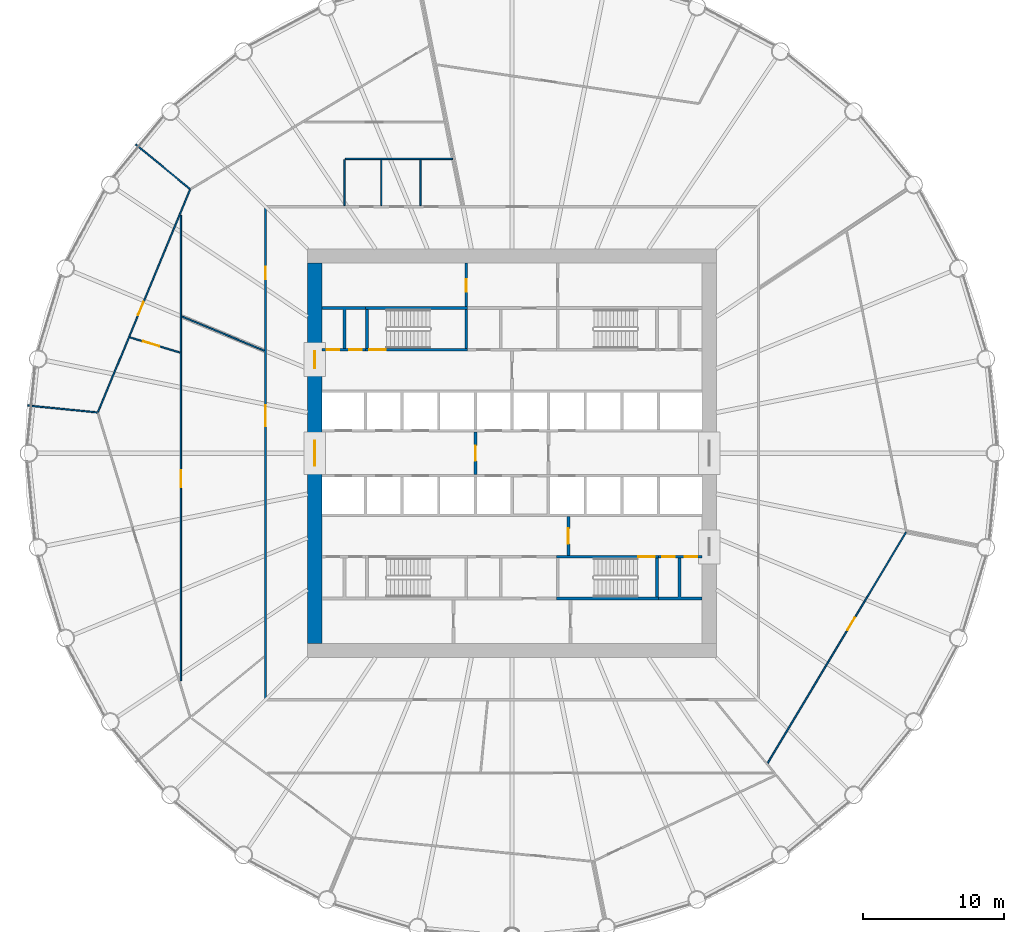
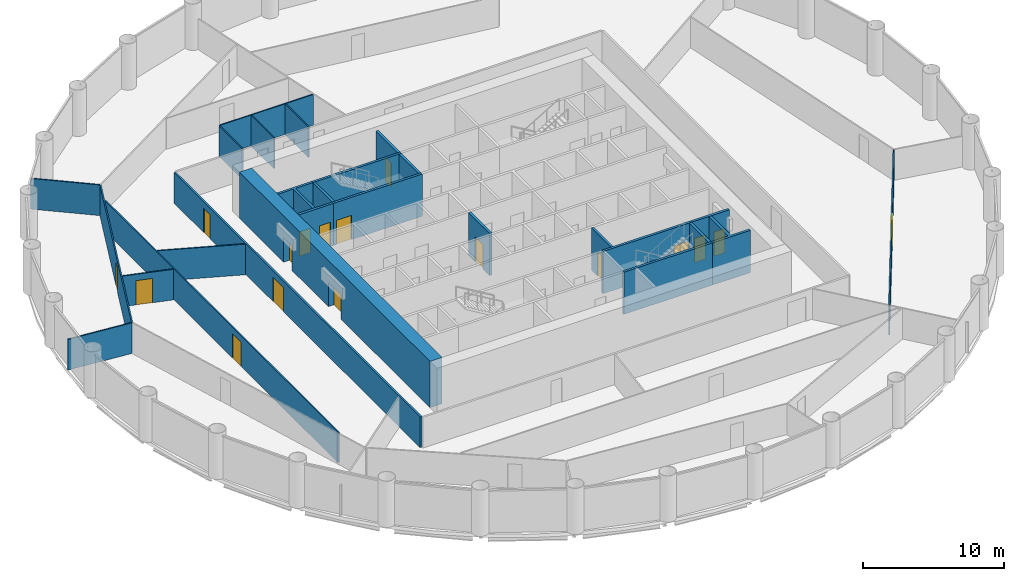
# One storey, part 5 of 8: 27 walls, 17 doors, 17 openings.
"""IFC4 building model written with IfcOpenShell, lengths in metres."""

from ifc_helpers import new_model, si_unit, direction, frame, frame_2d, origin, place, context, subcontext, project, spatial, polyline, rectangle, outline, extrude, material, layer, layer_set, type_object, element, fill, save


model = new_model("IFC4")

# Units and contexts
model_context = context("Model", 3, precision=1e-05, world=origin(), true_north=direction((0.0, 1.0)))
body_context = subcontext(model_context, "Body", "Model", "MODEL_VIEW")
ifc_project = project(units=[si_unit("LENGTHUNIT", "METRE"), si_unit("AREAUNIT", "SQUARE_METRE"), si_unit("VOLUMEUNIT", "CUBIC_METRE"), si_unit("PLANEANGLEUNIT", "RADIAN"), si_unit("MASSUNIT", "GRAM", prefix="KILO")], contexts=[model_context])

# Site, building, storey
site_placement = place(None, origin())
site = spatial("IfcSite", under=ifc_project, at=site_placement, CompositionType="ELEMENT")
building_placement = place(site_placement, origin())
building = spatial("IfcBuilding", under=site, at=building_placement, Name="Corvane Civic Tower", CompositionType="ELEMENT")
storey_placement = place(building_placement, frame((0.0, 0.0, 134.5)))
storey = spatial("IfcBuildingStorey", under=building, at=storey_placement, Name="L31", CompositionType="ELEMENT", Elevation=134.5)

# Wall, openings, doors
ifc_material_1 = material(Name="Concrete C70/85", Category="concrete")
ifc_layer_1 = layer(ifc_material_1, 1.0)
ifc_layer_set_1 = layer_set([ifc_layer_1], Name="Concrete C70/85")
wall_type_1 = type_object("IfcWallType", Name="CORE WALL 1000 C70/85", PredefinedType="SHEAR", material=ifc_layer_set_1)
wall_1_placement = place(storey_placement, frame((-14.0, -13.5, 0.0), z_axis=(0.0, 0.0, 1.0), x_axis=(0.0, 1.0, 0.0)))
wall_1 = element("IfcWall", 1, at=wall_1_placement, inside=storey, type_object=wall_type_1, Name="W-L31-core-W", PredefinedType="SHEAR", context=body_context, shape_type="SweptSolid", body=[
    extrude(rectangle(XDim=27.0, YDim=1.0, at=frame_2d((13.5, 0.0))), origin(), (0.0, 0.0, 1.0), 4.0),
])
opening_1_placement = place(wall_1_placement, frame((12.60009765625, 0.0, 0.0)))
opening_1 = element("IfcOpeningElement", 2, at=opening_1_placement, cuts=wall_1, Name="Opening L31.C28", PredefinedType="OPENING", context=body_context, shape_type="SweptSolid", body=[
    extrude(rectangle(XDim=1.800048828125, YDim=2.10009765625, at=frame_2d((0.89990234375, 1.050048828125))), frame((0.0, 0.510009765625, 0.0), z_axis=(0.0, -1.0, 0.0), x_axis=(1.0, 0.0, 0.0)), (0.0, 0.0, 1.0), 1.02001953125),
])
opening_2_placement = place(wall_1_placement, frame((19.550048828125, 0.0, 0.0)))
opening_2 = element("IfcOpeningElement", 3, at=opening_2_placement, cuts=wall_1, Name="Opening L31.C30", PredefinedType="OPENING", context=body_context, shape_type="SweptSolid", body=[
    extrude(rectangle(XDim=1.199951171875, YDim=2.10009765625, at=frame_2d((0.60009765625, 1.050048828125))), frame((0.0, 0.510009765625, 0.0), z_axis=(0.0, -1.0, 0.0), x_axis=(1.0, 0.0, 0.0)), (0.0, 0.0, 1.0), 1.02001953125),
])
ifc_material_2 = material(Name="Steel fire door leaf", Category="steel")
door_type_1 = type_object("IfcDoorType", Name="CR-DOOR-CORE-1800", OperationType="DOUBLE_DOOR_SINGLE_SWING", PredefinedType="DOOR", material=ifc_material_2)
door_1_placement = place(opening_1_placement, origin())
door_1 = element("IfcDoor", 4, at=door_1_placement, inside=storey, type_object=door_type_1, Name="L31 door", OperationType="DOUBLE_DOOR_SINGLE_SWING", OverallHeight=2.10009765625, OverallWidth=1.800048828125, PredefinedType="DOOR", context=body_context, shape_type="SweptSolid", body=[
    extrude(rectangle(XDim=1.800048828125, YDim=2.10009765625, at=frame_2d((0.89990234375, 1.050048828125))), frame((0.0, 0.02490234375, 0.0), z_axis=(0.0, -1.0, 0.0), x_axis=(1.0, 0.0, 0.0)), (0.0, 0.0, 1.0), 0.050048828125),
])
fill(opening_1, door_1)
door_2_placement = place(opening_2_placement, origin())
door_2 = element("IfcDoor", 5, at=door_2_placement, inside=storey, type_object=door_type_1, Name="L31 door", OperationType="DOUBLE_DOOR_SINGLE_SWING", OverallHeight=2.10009765625, OverallWidth=1.199951171875, PredefinedType="DOOR", context=body_context, shape_type="SweptSolid", body=[
    extrude(rectangle(XDim=1.199951171875, YDim=2.10009765625, at=frame_2d((0.60009765625, 1.050048828125))), frame((0.0, 0.02490234375, 0.0), z_axis=(0.0, -1.0, 0.0), x_axis=(1.0, 0.0, 0.0)), (0.0, 0.0, 1.0), 0.050048828125),
])
fill(opening_2, door_2)

ifc_material_3 = material(Name="Concrete C30/37", Category="concrete")
ifc_layer_2 = layer(ifc_material_3, 0.199951171875)
ifc_layer_set_2 = layer_set([ifc_layer_2], Name="Concrete C30/37")
wall_type_2 = type_object("IfcWallType", Name="CR-WALL-200", PredefinedType="PARTITIONING", material=ifc_layer_set_2)
wall_2_placement = place(storey_placement, frame((10.39990234375, -7.35009765625, 0.0), z_axis=(0.0, 0.0, 1.0), x_axis=(1.0, 0.0, 0.0)))
wall_2 = element("IfcWall", 6, at=wall_2_placement, inside=storey, type_object=wall_type_2, Name="L31 core partition wall", PredefinedType="PARTITIONING", context=body_context, shape_type="SweptSolid", body=[
    extrude(rectangle(XDim=3.10009765625, YDim=0.199951171875, at=frame_2d((1.550048828125, 0.0))), origin(), (0.0, 0.0, 1.0), 3.64990234375),
])
opening_3_placement = place(wall_2_placement, frame((0.25, 0.0, 0.0)))
opening_3 = element("IfcOpeningElement", 7, at=opening_3_placement, cuts=wall_2, Name="Opening L31.C18", PredefinedType="OPENING", context=body_context, shape_type="SweptSolid", body=[
    extrude(rectangle(XDim=0.89990234375, YDim=2.10009765625, at=frame_2d((0.449951171875, 1.050048828125))), frame((0.0, 0.10986328125, 0.0), z_axis=(0.0, -1.0, 0.0), x_axis=(1.0, 0.0, 0.0)), (0.0, 0.0, 1.0), 0.219970703125),
])
opening_4_placement = place(wall_2_placement, frame((1.85009765625, 0.0, 0.0)))
opening_4 = element("IfcOpeningElement", 8, at=opening_4_placement, cuts=wall_2, Name="Opening L31.C19", PredefinedType="OPENING", context=body_context, shape_type="SweptSolid", body=[
    extrude(rectangle(XDim=0.89990234375, YDim=2.10009765625, at=frame_2d((0.449951171875, 1.050048828125))), frame((0.0, 0.10986328125, 0.0), z_axis=(0.0, -1.0, 0.0), x_axis=(1.0, 0.0, 0.0)), (0.0, 0.0, 1.0), 0.219970703125),
])
ifc_material_4 = material(Name="Steel fire door leaf", Category="steel")
door_type_2 = type_object("IfcDoorType", Name="CR-DOOR-900", OperationType="SINGLE_SWING_LEFT", PredefinedType="DOOR", material=ifc_material_4)
door_3_placement = place(opening_3_placement, origin())
door_3 = element("IfcDoor", 9, at=door_3_placement, inside=storey, type_object=door_type_2, Name="L31 door", OperationType="SINGLE_SWING_LEFT", OverallHeight=2.10009765625, OverallWidth=0.89990234375, PredefinedType="DOOR", context=body_context, shape_type="SweptSolid", body=[
    extrude(rectangle(XDim=0.89990234375, YDim=2.10009765625, at=frame_2d((0.449951171875, 1.050048828125))), frame((0.0, 0.02490234375, 0.0), z_axis=(0.0, -1.0, 0.0), x_axis=(1.0, 0.0, 0.0)), (0.0, 0.0, 1.0), 0.050048828125),
])
fill(opening_3, door_3)
door_4_placement = place(opening_4_placement, origin())
door_4 = element("IfcDoor", 10, at=door_4_placement, inside=storey, type_object=door_type_2, Name="L31 door", OperationType="SINGLE_SWING_LEFT", OverallHeight=2.10009765625, OverallWidth=0.89990234375, PredefinedType="DOOR", context=body_context, shape_type="SweptSolid", body=[
    extrude(rectangle(XDim=0.89990234375, YDim=2.10009765625, at=frame_2d((0.449951171875, 1.050048828125))), frame((0.0, 0.02490234375, 0.0), z_axis=(0.0, -1.0, 0.0), x_axis=(1.0, 0.0, 0.0)), (0.0, 0.0, 1.0), 0.050048828125),
])
fill(opening_4, door_4)

wall_3_placement = place(storey_placement, frame((-13.5, 7.35009765625, 0.0), z_axis=(0.0, 0.0, 1.0), x_axis=(1.0, 0.0, 0.0)))
wall_3 = element("IfcWall", 11, at=wall_3_placement, inside=storey, type_object=wall_type_2, Name="L31 core partition wall", PredefinedType="PARTITIONING", context=body_context, shape_type="SweptSolid", body=[
    extrude(rectangle(XDim=3.10009765625, YDim=0.199951171875, at=frame_2d((1.550048828125, 0.0))), origin(), (0.0, 0.0, 1.0), 3.64990234375),
])
opening_5_placement = place(wall_3_placement, frame((0.35009765625, 0.0, 0.0)))
opening_5 = element("IfcOpeningElement", 12, at=opening_5_placement, cuts=wall_3, Name="Opening L31.C12", PredefinedType="OPENING", context=body_context, shape_type="SweptSolid", body=[
    extrude(rectangle(XDim=0.89990234375, YDim=2.10009765625, at=frame_2d((0.449951171875, 1.050048828125))), frame((0.0, 0.10986328125, 0.0), z_axis=(0.0, -1.0, 0.0), x_axis=(1.0, 0.0, 0.0)), (0.0, 0.0, 1.0), 0.219970703125),
])
opening_6_placement = place(wall_3_placement, frame((1.949951171875, 0.0, 0.0)))
opening_6 = element("IfcOpeningElement", 13, at=opening_6_placement, cuts=wall_3, Name="Opening L31.C13", PredefinedType="OPENING", context=body_context, shape_type="SweptSolid", body=[
    extrude(rectangle(XDim=0.89990234375, YDim=2.10009765625, at=frame_2d((0.449951171875, 1.050048828125))), frame((0.0, 0.10986328125, 0.0), z_axis=(0.0, -1.0, 0.0), x_axis=(1.0, 0.0, 0.0)), (0.0, 0.0, 1.0), 0.219970703125),
])
door_5_placement = place(opening_5_placement, origin())
door_5 = element("IfcDoor", 14, at=door_5_placement, inside=storey, type_object=door_type_2, Name="L31 door", OperationType="SINGLE_SWING_LEFT", OverallHeight=2.10009765625, OverallWidth=0.89990234375, PredefinedType="DOOR", context=body_context, shape_type="SweptSolid", body=[
    extrude(rectangle(XDim=0.89990234375, YDim=2.10009765625, at=frame_2d((0.449951171875, 1.050048828125))), frame((0.0, 0.02490234375, 0.0), z_axis=(0.0, -1.0, 0.0), x_axis=(1.0, 0.0, 0.0)), (0.0, 0.0, 1.0), 0.050048828125),
])
fill(opening_5, door_5)
door_6_placement = place(opening_6_placement, origin())
door_6 = element("IfcDoor", 15, at=door_6_placement, inside=storey, type_object=door_type_2, Name="L31 door", OperationType="SINGLE_SWING_LEFT", OverallHeight=2.10009765625, OverallWidth=0.89990234375, PredefinedType="DOOR", context=body_context, shape_type="SweptSolid", body=[
    extrude(rectangle(XDim=0.89990234375, YDim=2.10009765625, at=frame_2d((0.449951171875, 1.050048828125))), frame((0.0, 0.02490234375, 0.0), z_axis=(0.0, -1.0, 0.0), x_axis=(1.0, 0.0, 0.0)), (0.0, 0.0, 1.0), 0.050048828125),
])
fill(opening_6, door_6)

# Wall, opening, door
wall_4_placement = place(storey_placement, frame((-3.25, 10.39990234375, 0.0), z_axis=(0.0, 0.0, 1.0), x_axis=(0.0, 1.0, 0.0)))
wall_4 = element("IfcWall", 16, at=wall_4_placement, inside=storey, type_object=wall_type_2, Name="L31 partition wall", PredefinedType="PARTITIONING", context=body_context, shape_type="SweptSolid", body=[
    extrude(rectangle(XDim=3.10009765625, YDim=0.199951171875, at=frame_2d((1.550048828125, 0.0))), origin(), (0.0, 0.0, 1.0), 3.64990234375),
])
opening_7_placement = place(wall_4_placement, frame((1.050048828125, 0.0, 0.0)))
opening_7 = element("IfcOpeningElement", 17, at=opening_7_placement, cuts=wall_4, Name="Opening L31.C06", PredefinedType="OPENING", context=body_context, shape_type="SweptSolid", body=[
    extrude(rectangle(XDim=0.89990234375, YDim=2.10009765625, at=frame_2d((0.449951171875, 1.050048828125))), frame((0.0, 0.10986328125, 0.0), z_axis=(0.0, -1.0, 0.0), x_axis=(1.0, 0.0, 0.0)), (0.0, 0.0, 1.0), 0.219970703125),
])
door_7_placement = place(opening_7_placement, origin())
door_7 = element("IfcDoor", 18, at=door_7_placement, inside=storey, type_object=door_type_2, Name="L31 door", OperationType="SINGLE_SWING_LEFT", OverallHeight=2.10009765625, OverallWidth=0.89990234375, PredefinedType="DOOR", context=body_context, shape_type="SweptSolid", body=[
    extrude(rectangle(XDim=0.89990234375, YDim=2.10009765625, at=frame_2d((0.449951171875, 1.050048828125))), frame((0.0, 0.02490234375, 0.0), z_axis=(0.0, -1.0, 0.0), x_axis=(1.0, 0.0, 0.0)), (0.0, 0.0, 1.0), 0.050048828125),
])
fill(opening_7, door_7)

wall_5_placement = place(storey_placement, frame((-2.60009765625, -1.5, 0.0), z_axis=(0.0, 0.0, 1.0), x_axis=(0.0, 1.0, 0.0)))
wall_5 = element("IfcWall", 19, at=wall_5_placement, inside=storey, type_object=wall_type_2, Name="L31 firefighting lobby wall", PredefinedType="PARTITIONING", context=body_context, shape_type="SweptSolid", body=[
    extrude(rectangle(XDim=3.0, YDim=0.199951171875, at=frame_2d((1.5, 0.0))), origin(), (0.0, 0.0, 1.0), 3.64990234375),
])
opening_8_placement = place(wall_5_placement, frame((0.949951171875, 0.0, 0.0)))
opening_8 = element("IfcOpeningElement", 20, at=opening_8_placement, cuts=wall_5, Name="Opening L31.C24", PredefinedType="OPENING", context=body_context, shape_type="SweptSolid", body=[
    extrude(rectangle(XDim=1.10009765625, YDim=2.10009765625, at=frame_2d((0.550048828125, 1.050048828125))), frame((0.0, 0.10986328125, 0.0), z_axis=(0.0, -1.0, 0.0), x_axis=(1.0, 0.0, 0.0)), (0.0, 0.0, 1.0), 0.219970703125),
])
ifc_material_5 = material(Name="Steel fire door leaf", Category="steel")
door_type_3 = type_object("IfcDoorType", Name="CR-DOOR-FFL-1100", OperationType="SINGLE_SWING_LEFT", PredefinedType="DOOR", material=ifc_material_5)
door_8_placement = place(opening_8_placement, origin())
door_8 = element("IfcDoor", 21, at=door_8_placement, inside=storey, type_object=door_type_3, Name="L31 lobby door", OperationType="SINGLE_SWING_LEFT", OverallHeight=2.10009765625, OverallWidth=1.10009765625, PredefinedType="DOOR", context=body_context, shape_type="SweptSolid", body=[
    extrude(rectangle(XDim=1.10009765625, YDim=2.10009765625, at=frame_2d((0.550048828125, 1.050048828125))), frame((0.0, 0.02490234375, 0.0), z_axis=(0.0, -1.0, 0.0), x_axis=(1.0, 0.0, 0.0)), (0.0, 0.0, 1.0), 0.050048828125),
])
fill(opening_8, door_8)

wall_6_placement = place(storey_placement, frame((4.0, -7.25, 0.0), z_axis=(0.0, 0.0, 1.0), x_axis=(0.0, 1.0, 0.0)))
wall_6 = element("IfcWall", 22, at=wall_6_placement, inside=storey, type_object=wall_type_2, Name="L31 core partition wall", PredefinedType="PARTITIONING", context=body_context, shape_type="SweptSolid", body=[
    extrude(rectangle(XDim=2.75, YDim=0.199951171875, at=frame_2d((1.375, 0.0))), origin(), (0.0, 0.0, 1.0), 3.64990234375),
])
opening_9_placement = place(wall_6_placement, frame((0.824951171875, 0.0, 0.0)))
opening_9 = element("IfcOpeningElement", 23, at=opening_9_placement, cuts=wall_6, Name="Opening L31.C27", PredefinedType="OPENING", context=body_context, shape_type="SweptSolid", body=[
    extrude(rectangle(XDim=1.10009765625, YDim=2.10009765625, at=frame_2d((0.550048828125, 1.050048828125))), frame((0.0, 0.10986328125, 0.0), z_axis=(0.0, -1.0, 0.0), x_axis=(1.0, 0.0, 0.0)), (0.0, 0.0, 1.0), 0.219970703125),
])
door_9_placement = place(opening_9_placement, origin())
door_9 = element("IfcDoor", 24, at=door_9_placement, inside=storey, type_object=door_type_3, Name="L31 lobby door", OperationType="SINGLE_SWING_LEFT", OverallHeight=2.10009765625, OverallWidth=1.10009765625, PredefinedType="DOOR", context=body_context, shape_type="SweptSolid", body=[
    extrude(rectangle(XDim=1.10009765625, YDim=2.10009765625, at=frame_2d((0.550048828125, 1.050048828125))), frame((0.0, 0.02490234375, 0.0), z_axis=(0.0, -1.0, 0.0), x_axis=(1.0, 0.0, 0.0)), (0.0, 0.0, 1.0), 0.050048828125),
])
fill(opening_9, door_9)

# Walls
wall_7_placement = place(storey_placement, origin())
element("IfcWall", 25, at=wall_7_placement, inside=storey, type_object=wall_type_2, Name="L31 core partition wall", PredefinedType="PARTITIONING", context=body_context, shape_type="SweptSolid", body=[
    extrude(outline(polyline([(-13.5, 10.39990234375), (-10.39990234375, 10.39990234375), (-10.39990234375, 10.199951171875), (-11.800048828125, 10.199951171875), (-11.800048828125, 7.449951171875), (-12.0, 7.449951171875), (-12.0, 10.199951171875), (-13.5, 10.199951171875), (-13.5, 10.39990234375)])), origin(), (0.0, 0.0, 1.0), 3.64990234375),
])
wall_8_placement = place(storey_placement, origin())
element("IfcWall", 26, at=wall_8_placement, inside=storey, type_object=wall_type_2, Name="L31 core partition wall", PredefinedType="PARTITIONING", context=body_context, shape_type="SweptSolid", body=[
    extrude(outline(polyline([(11.800048828125, -7.449951171875), (12.0, -7.449951171875), (12.0, -10.199951171875), (13.5, -10.199951171875), (13.5, -10.39990234375), (10.39990234375, -10.39990234375), (10.39990234375, -10.199951171875), (11.800048828125, -10.199951171875), (11.800048828125, -7.449951171875)])), origin(), (0.0, 0.0, 1.0), 3.64990234375),
])

# Wall, opening, door
ifc_material_6 = material(Name="Plasterboard")
ifc_layer_3 = layer(ifc_material_6, 0.10009765625)
ifc_layer_set_3 = layer_set([ifc_layer_3], Name="Plasterboard")
wall_type_3 = type_object("IfcWallType", Name="Partition 100 plasterboard on studs", PredefinedType="PARTITIONING", material=ifc_layer_set_3)
wall_9_placement = place(storey_placement, frame((18.14404296875, -22.003173828125, 0.0), z_axis=(0.0, 0.0, 1.0), x_axis=(0.514093969776, 0.857733869122, 0.0)))
wall_9 = element("IfcWall", 27, at=wall_9_placement, inside=storey, type_object=wall_type_3, Name="Partition L31.010", PredefinedType="PARTITIONING", context=body_context, shape_type="SweptSolid", body=[
    extrude(rectangle(XDim=19.12548828125, YDim=0.10009765625, at=frame_2d((9.562744140625, 0.0))), origin(), (0.0, 0.0, 1.0), 2.64990234375),
])
opening_10_placement = place(wall_9_placement, frame((11.037109375, 0.0, 0.0)))
opening_10 = element("IfcOpeningElement", 28, at=opening_10_placement, cuts=wall_9, Name="Opening L31.004", PredefinedType="OPENING", context=body_context, shape_type="SweptSolid", body=[
    extrude(rectangle(XDim=1.0, YDim=2.10009765625, at=frame_2d((0.5, 1.050048828125))), frame((0.0, 0.06005859375, 0.0), z_axis=(0.0, -1.0, 0.0), x_axis=(1.0, 0.0, 0.0)), (0.0, 0.0, 1.0), 0.1201171875),
])
ifc_material_7 = material(Name="Timber", Category="wood")
door_type_4 = type_object("IfcDoorType", Name="Single door 1000", OperationType="NOTDEFINED", PredefinedType="DOOR", material=ifc_material_7)
door_10_placement = place(opening_10_placement, frame((1.0, 0.0, 0.0), z_axis=(0.0, 0.0, 1.0), x_axis=(-1.0, 0.0, 0.0)))
door_10 = element("IfcDoor", 29, at=door_10_placement, inside=storey, type_object=door_type_4, Name="Door L31.004", OperationType="SINGLE_SWING_LEFT", OverallHeight=2.10009765625, OverallWidth=1.0, PredefinedType="DOOR", context=body_context, shape_type="SweptSolid", body=[
    extrude(rectangle(XDim=1.0, YDim=2.10009765625, at=frame_2d((0.5, 1.050048828125))), frame((0.0, 0.02490234375, 0.0), z_axis=(0.0, -1.0, 0.0), x_axis=(1.0, 0.0, 0.0)), (0.0, 0.0, 1.0), 0.050048828125),
])
fill(opening_10, door_10)

wall_10_placement = place(storey_placement, frame((-23.5, -16.150146484375, 0.0), z_axis=(0.0, 0.0, 1.0), x_axis=(0.0, 1.0, 0.0)))
wall_10 = element("IfcWall", 30, at=wall_10_placement, inside=storey, type_object=wall_type_3, Name="Partition L31.018", PredefinedType="PARTITIONING", context=body_context, shape_type="SweptSolid", body=[
    extrude(rectangle(XDim=33.04345703125, YDim=0.10009765625, at=frame_2d((16.521728515625, 0.0))), origin(), (0.0, 0.0, 1.0), 2.64990234375),
])
opening_11_placement = place(wall_10_placement, frame((13.75341796875, 0.0, 0.0)))
opening_11 = element("IfcOpeningElement", 31, at=opening_11_placement, cuts=wall_10, Name="Opening L31.015", PredefinedType="OPENING", context=body_context, shape_type="SweptSolid", body=[
    extrude(rectangle(XDim=1.199951171875, YDim=2.10009765625, at=frame_2d((0.60009765625, 1.050048828125))), frame((0.0, 0.06005859375, 0.0), z_axis=(0.0, -1.0, 0.0), x_axis=(1.0, 0.0, 0.0)), (0.0, 0.0, 1.0), 0.1201171875),
])
ifc_material_8 = material(Name="Timber", Category="wood")
door_type_5 = type_object("IfcDoorType", Name="Double door 1200", OperationType="NOTDEFINED", PredefinedType="DOOR", material=ifc_material_8)
door_11_placement = place(opening_11_placement, origin())
door_11 = element("IfcDoor", 32, at=door_11_placement, inside=storey, type_object=door_type_5, Name="Door L31.015", OperationType="DOUBLE_DOOR_SINGLE_SWING", OverallHeight=2.10009765625, OverallWidth=1.199951171875, PredefinedType="DOOR", context=body_context, shape_type="SweptSolid", body=[
    extrude(rectangle(XDim=1.199951171875, YDim=2.10009765625, at=frame_2d((0.60009765625, 1.050048828125))), frame((0.0, 0.02490234375, 0.0), z_axis=(0.0, -1.0, 0.0), x_axis=(1.0, 0.0, 0.0)), (0.0, 0.0, 1.0), 0.050048828125),
])
fill(opening_11, door_11)

# Wall
wall_11_placement = place(storey_placement, frame((-34.3837890625, 3.386474609375, 0.0), z_axis=(0.0, 0.0, 1.0), x_axis=(0.995184455284, -0.098019895744, 0.0)))
element("IfcWall", 33, at=wall_11_placement, inside=storey, type_object=wall_type_3, Name="Partition L31.021", PredefinedType="PARTITIONING", context=body_context, shape_type="SweptSolid", body=[
    extrude(rectangle(XDim=4.968994140625, YDim=0.10009765625, at=frame_2d((2.484375, 0.0))), origin(), (0.0, 0.0, 1.0), 2.64990234375),
])

# Wall, opening, door
wall_12_placement = place(storey_placement, frame((-29.3876953125, 2.93017578125, 0.0), z_axis=(0.0, 0.0, 1.0), x_axis=(0.38267374271, 0.923883546038, 0.0)))
wall_12 = element("IfcWall", 34, at=wall_12_placement, inside=storey, type_object=wall_type_3, Name="Partition L31.022", PredefinedType="PARTITIONING", context=body_context, shape_type="SweptSolid", body=[
    extrude(rectangle(XDim=17.078369140625, YDim=0.10009765625, at=frame_2d((8.5390625, 0.0))), origin(), (0.0, 0.0, 1.0), 2.64990234375),
])
opening_12_placement = place(wall_12_placement, frame((7.451171875, 0.0, 0.0)))
opening_12 = element("IfcOpeningElement", 35, at=opening_12_placement, cuts=wall_12, Name="Opening L31.013", PredefinedType="OPENING", context=body_context, shape_type="SweptSolid", body=[
    extrude(rectangle(XDim=1.0, YDim=2.10009765625, at=frame_2d((0.5, 1.050048828125))), frame((0.0, 0.06005859375, 0.0), z_axis=(0.0, -1.0, 0.0), x_axis=(1.0, 0.0, 0.0)), (0.0, 0.0, 1.0), 0.1201171875),
])
door_12_placement = place(opening_12_placement, origin())
door_12 = element("IfcDoor", 36, at=door_12_placement, inside=storey, type_object=door_type_4, Name="Door L31.013", OperationType="SINGLE_SWING_LEFT", OverallHeight=2.10009765625, OverallWidth=1.0, PredefinedType="DOOR", context=body_context, shape_type="SweptSolid", body=[
    extrude(rectangle(XDim=1.0, YDim=2.10009765625, at=frame_2d((0.5, 1.050048828125))), frame((0.0, 0.02490234375, 0.0), z_axis=(0.0, -1.0, 0.0), x_axis=(1.0, 0.0, 0.0)), (0.0, 0.0, 1.0), 0.050048828125),
])
fill(opening_12, door_12)

wall_13_placement = place(storey_placement, frame((-27.1328125, 8.230712890625, 0.0), z_axis=(0.0, 0.0, 1.0), x_axis=(0.956935154583, -0.290301756665, 0.0)))
wall_13 = element("IfcWall", 37, at=wall_13_placement, inside=storey, type_object=wall_type_3, Name="Partition L31.023", PredefinedType="PARTITIONING", context=body_context, shape_type="SweptSolid", body=[
    extrude(rectangle(XDim=3.72900390625, YDim=0.10009765625, at=frame_2d((1.864501953125, 0.0))), origin(), (0.0, 0.0, 1.0), 2.64990234375),
])
opening_13_placement = place(wall_13_placement, frame((0.9853515625, 0.0, 0.0)))
opening_13 = element("IfcOpeningElement", 38, at=opening_13_placement, cuts=wall_13, Name="Opening L31.016", PredefinedType="OPENING", context=body_context, shape_type="SweptSolid", body=[
    extrude(rectangle(XDim=1.199951171875, YDim=2.10009765625, at=frame_2d((0.60009765625, 1.050048828125))), frame((0.0, 0.06005859375, 0.0), z_axis=(0.0, -1.0, 0.0), x_axis=(1.0, 0.0, 0.0)), (0.0, 0.0, 1.0), 0.1201171875),
])
door_13_placement = place(opening_13_placement, origin())
door_13 = element("IfcDoor", 39, at=door_13_placement, inside=storey, type_object=door_type_5, Name="Door L31.016", OperationType="DOUBLE_DOOR_SINGLE_SWING", OverallHeight=2.10009765625, OverallWidth=1.199951171875, PredefinedType="DOOR", context=body_context, shape_type="SweptSolid", body=[
    extrude(rectangle(XDim=1.199951171875, YDim=2.10009765625, at=frame_2d((0.60009765625, 1.050048828125))), frame((0.0, 0.02490234375, 0.0), z_axis=(0.0, -1.0, 0.0), x_axis=(1.0, 0.0, 0.0)), (0.0, 0.0, 1.0), 0.050048828125),
])
fill(opening_13, door_13)

# Walls
wall_14_placement = place(storey_placement, frame((-23.430908203125, 9.705322265625, 0.0), z_axis=(0.0, 0.0, 1.0), x_axis=(0.923879776374, -0.382682843627, 0.0)))
element("IfcWall", 40, at=wall_14_placement, inside=storey, type_object=wall_type_3, Name="Partition L31.024", PredefinedType="PARTITIONING", context=body_context, shape_type="SweptSolid", body=[
    extrude(rectangle(XDim=6.31787109375, YDim=0.10009765625, at=frame_2d((3.158935546875, 0.0))), origin(), (0.0, 0.0, 1.0), 2.64990234375),
])
for number, where, z_axis, x_axis, name in (
    (41, (-11.881103515625, 17.574951171875, 0.0), (0.0, 0.0, 1.0), (0.0, 1.0, 0.0), "Partition L31.027"),
    (42, (-9.281005859375, 17.574951171875, 0.0), (0.0, 0.0, 1.0), (0.0, 1.0, 0.0), "Partition L31.028"),
    (43, (-6.48095703125, 17.574951171875, 0.0), (0.0, 0.0, 1.0), (0.0, 1.0, 0.0), "Partition L31.029"),
):
    element("IfcWall", number, at=place(storey_placement, frame(where, z_axis=z_axis, x_axis=x_axis)), inside=storey, type_object=wall_type_3, Name=name, PredefinedType="PARTITIONING", context=body_context, shape_type="SweptSolid", body=[
        extrude(rectangle(XDim=3.275146484375, YDim=0.10009765625, at=frame_2d((1.6376953125, 0.0))), origin(), (0.0, 0.0, 1.0), 2.64990234375),
    ])
wall_15_placement = place(storey_placement, frame((-26.707763671875, 21.91845703125, 0.0), z_axis=(0.0, 0.0, 1.0), x_axis=(0.773004174739, -0.634400934611, 0.0)))
element("IfcWall", 44, at=wall_15_placement, inside=storey, type_object=wall_type_3, Name="Partition L31.032", PredefinedType="PARTITIONING", context=body_context, shape_type="SweptSolid", body=[
    extrude(rectangle(XDim=4.968994140625, YDim=0.10009765625, at=frame_2d((2.484375, 0.0))), origin(), (0.0, 0.0, 1.0), 2.64990234375),
])
wall_16_placement = place(storey_placement, frame((-11.8310546875, 20.89990234375, 0.0), z_axis=(0.0, 0.0, 1.0), x_axis=(1.0, 0.0, 0.0)))
element("IfcWall", 45, at=wall_16_placement, inside=storey, type_object=wall_type_3, Name="Partition L31.033", PredefinedType="PARTITIONING", context=body_context, shape_type="SweptSolid", body=[
    extrude(rectangle(XDim=7.61279296875, YDim=0.10009765625, at=frame_2d((3.806396484375, 0.0))), origin(), (0.0, 0.0, 1.0), 2.64990234375),
])

# Wall, opening, door
ifc_material_9 = material(Name="Concrete C50/60", Category="concrete")
ifc_layer_4 = layer(ifc_material_9, 0.199951171875)
ifc_layer_set_4 = layer_set([ifc_layer_4], Name="Concrete C50/60")
wall_type_4 = type_object("IfcWallType", Name="ST-WALL-200", PredefinedType="SHEAR", material=ifc_layer_set_4)
wall_17_placement = place(storey_placement, frame((3.14990234375, -7.35009765625, 0.0), z_axis=(0.0, 0.0, 1.0), x_axis=(1.0, 0.0, 0.0)))
wall_17 = element("IfcWall", 46, at=wall_17_placement, inside=storey, type_object=wall_type_4, Name="L31 stair enclosure wall", PredefinedType="SHEAR", context=body_context, shape_type="SweptSolid", body=[
    extrude(rectangle(XDim=7.25, YDim=0.199951171875, at=frame_2d((3.625, 0.0))), origin(), (0.0, 0.0, 1.0), 3.64990234375),
])
opening_14_placement = place(wall_17_placement, frame((5.800048828125, 0.0, 0.0)))
opening_14 = element("IfcOpeningElement", 47, at=opening_14_placement, cuts=wall_17, Name="Opening L31.C22", PredefinedType="OPENING", context=body_context, shape_type="SweptSolid", body=[
    extrude(rectangle(XDim=1.199951171875, YDim=2.10009765625, at=frame_2d((0.60009765625, 1.050048828125))), frame((0.0, 0.10986328125, 0.0), z_axis=(0.0, -1.0, 0.0), x_axis=(1.0, 0.0, 0.0)), (0.0, 0.0, 1.0), 0.219970703125),
])
ifc_material_10 = material(Name="Steel fire door leaf", Category="steel")
door_type_6 = type_object("IfcDoorType", Name="ST-DOOR-1200", OperationType="SINGLE_SWING_RIGHT", PredefinedType="DOOR", material=ifc_material_10)
door_14_placement = place(opening_14_placement, origin())
door_14 = element("IfcDoor", 48, at=door_14_placement, inside=storey, type_object=door_type_6, Name="L31 stair door", OperationType="SINGLE_SWING_RIGHT", OverallHeight=2.10009765625, OverallWidth=1.199951171875, PredefinedType="DOOR", context=body_context, shape_type="SweptSolid", body=[
    extrude(rectangle(XDim=1.199951171875, YDim=2.10009765625, at=frame_2d((0.60009765625, 1.050048828125))), frame((0.0, 0.02490234375, 0.0), z_axis=(0.0, -1.0, 0.0), x_axis=(1.0, 0.0, 0.0)), (0.0, 0.0, 1.0), 0.050048828125),
])
fill(opening_14, door_14)

wall_18_placement = place(storey_placement, frame((-10.39990234375, 7.35009765625, 0.0), z_axis=(0.0, 0.0, 1.0), x_axis=(1.0, 0.0, 0.0)))
wall_18 = element("IfcWall", 49, at=wall_18_placement, inside=storey, type_object=wall_type_4, Name="L31 stair enclosure wall", PredefinedType="SHEAR", context=body_context, shape_type="SweptSolid", body=[
    extrude(rectangle(XDim=7.25, YDim=0.199951171875, at=frame_2d((3.625, 0.0))), origin(), (0.0, 0.0, 1.0), 3.64990234375),
])
opening_15_placement = place(wall_18_placement, frame((0.25, 0.0, 0.0)))
opening_15 = element("IfcOpeningElement", 50, at=opening_15_placement, cuts=wall_18, Name="Opening L31.C21", PredefinedType="OPENING", context=body_context, shape_type="SweptSolid", body=[
    extrude(rectangle(XDim=1.199951171875, YDim=2.10009765625, at=frame_2d((0.60009765625, 1.050048828125))), frame((0.0, 0.10986328125, 0.0), z_axis=(0.0, -1.0, 0.0), x_axis=(1.0, 0.0, 0.0)), (0.0, 0.0, 1.0), 0.219970703125),
])
door_15_placement = place(opening_15_placement, origin())
door_15 = element("IfcDoor", 51, at=door_15_placement, inside=storey, type_object=door_type_6, Name="L31 stair door", OperationType="SINGLE_SWING_RIGHT", OverallHeight=2.10009765625, OverallWidth=1.199951171875, PredefinedType="DOOR", context=body_context, shape_type="SweptSolid", body=[
    extrude(rectangle(XDim=1.199951171875, YDim=2.10009765625, at=frame_2d((0.60009765625, 1.050048828125))), frame((0.0, 0.02490234375, 0.0), z_axis=(0.0, -1.0, 0.0), x_axis=(1.0, 0.0, 0.0)), (0.0, 0.0, 1.0), 0.050048828125),
])
fill(opening_15, door_15)

# Walls
wall_19_placement = place(storey_placement, origin())
element("IfcWall", 52, at=wall_19_placement, inside=storey, type_object=wall_type_4, Name="L31 stair enclosure wall", PredefinedType="SHEAR", context=body_context, shape_type="SweptSolid", body=[
    extrude(outline(polyline([(-3.14990234375, 10.199951171875), (-10.39990234375, 10.199951171875), (-10.39990234375, 10.39990234375), (-3.14990234375, 10.39990234375), (-3.14990234375, 10.199951171875)])), origin(), (0.0, 0.0, 1.0), 3.64990234375),
])
wall_20_placement = place(storey_placement, origin())
element("IfcWall", 53, at=wall_20_placement, inside=storey, type_object=wall_type_4, Name="L31 stair enclosure wall", PredefinedType="SHEAR", context=body_context, shape_type="SweptSolid", body=[
    extrude(outline(polyline([(10.39990234375, -10.39990234375), (3.14990234375, -10.39990234375), (3.14990234375, -10.199951171875), (10.39990234375, -10.199951171875), (10.39990234375, -10.39990234375)])), origin(), (0.0, 0.0, 1.0), 3.64990234375),
])
wall_21_placement = place(storey_placement, origin())
element("IfcWall", 54, at=wall_21_placement, inside=storey, type_object=wall_type_4, Name="L31 stair enclosure wall", PredefinedType="SHEAR", context=body_context, shape_type="SweptSolid", body=[
    extrude(outline(polyline([(-3.14990234375, 7.449951171875), (-3.35009765625, 7.449951171875), (-3.35009765625, 10.199951171875), (-3.14990234375, 10.199951171875), (-3.14990234375, 7.449951171875)])), origin(), (0.0, 0.0, 1.0), 3.64990234375),
])
wall_22_placement = place(storey_placement, origin())
element("IfcWall", 55, at=wall_22_placement, inside=storey, type_object=wall_type_4, Name="L31 stair enclosure wall", PredefinedType="SHEAR", context=body_context, shape_type="SweptSolid", body=[
    extrude(outline(polyline([(-10.199951171875, 7.449951171875), (-10.39990234375, 7.449951171875), (-10.39990234375, 10.199951171875), (-10.199951171875, 10.199951171875), (-10.199951171875, 7.449951171875)])), origin(), (0.0, 0.0, 1.0), 3.64990234375),
])
wall_23_placement = place(storey_placement, origin())
element("IfcWall", 56, at=wall_23_placement, inside=storey, type_object=wall_type_4, Name="L31 stair enclosure wall", PredefinedType="SHEAR", context=body_context, shape_type="SweptSolid", body=[
    extrude(outline(polyline([(10.39990234375, -7.449951171875), (10.39990234375, -10.199951171875), (10.199951171875, -10.199951171875), (10.199951171875, -7.449951171875), (10.39990234375, -7.449951171875)])), origin(), (0.0, 0.0, 1.0), 3.64990234375),
])

# Wall, openings, doors
ifc_material_11 = material(Name="Plasterboard")
ifc_layer_5 = layer(ifc_material_11, 0.14990234375)
ifc_layer_set_5 = layer_set([ifc_layer_5], Name="Plasterboard")
wall_type_5 = type_object("IfcWallType", Name="Tenancy wall 150 EI 60", PredefinedType="PARTITIONING", material=ifc_layer_set_5)
wall_24_placement = place(storey_placement, frame((-17.5, -17.425048828125, 0.0), z_axis=(0.0, 0.0, 1.0), x_axis=(0.0, 1.0, 0.0)))
wall_24 = element("IfcWall", 57, at=wall_24_placement, inside=storey, type_object=wall_type_5, Name="Partition L31.015", PredefinedType="PARTITIONING", context=body_context, shape_type="SweptSolid", body=[
    extrude(rectangle(XDim=34.85009765625, YDim=0.14990234375, at=frame_2d((17.425048828125, 0.0))), origin(), (0.0, 0.0, 1.0), 2.64990234375),
])
opening_16_placement = place(wall_24_placement, frame((19.348876953125, 0.0, 0.0)))
opening_16 = element("IfcOpeningElement", 58, at=opening_16_placement, cuts=wall_24, Name="Opening L31.018", PredefinedType="OPENING", context=body_context, shape_type="SweptSolid", body=[
    extrude(rectangle(XDim=1.5, YDim=2.10009765625, at=frame_2d((0.75, 1.050048828125))), frame((0.0, 0.0849609375, 0.0), z_axis=(0.0, -1.0, 0.0), x_axis=(1.0, 0.0, 0.0)), (0.0, 0.0, 1.0), 0.169921875),
])
opening_17_placement = place(wall_24_placement, frame((29.764892578125, 0.0, 0.0)))
opening_17 = element("IfcOpeningElement", 59, at=opening_17_placement, cuts=wall_24, Name="Opening L31.019", PredefinedType="OPENING", context=body_context, shape_type="SweptSolid", body=[
    extrude(rectangle(XDim=0.89990234375, YDim=2.10009765625, at=frame_2d((0.449951171875, 1.050048828125))), frame((0.0, 0.0849609375, 0.0), z_axis=(0.0, -1.0, 0.0), x_axis=(1.0, 0.0, 0.0)), (0.0, 0.0, 1.0), 0.169921875),
])
ifc_material_12 = material(Name="Steel and timber", Category="steel")
door_type_7 = type_object("IfcDoorType", Name="Fire door FD30S 900", OperationType="NOTDEFINED", PredefinedType="DOOR", material=ifc_material_12)
door_16_placement = place(opening_17_placement, origin())
door_16 = element("IfcDoor", 60, at=door_16_placement, inside=storey, type_object=door_type_7, Name="Door L31.019", OperationType="SINGLE_SWING_LEFT", OverallHeight=2.10009765625, OverallWidth=0.89990234375, PredefinedType="DOOR", context=body_context, shape_type="SweptSolid", body=[
    extrude(rectangle(XDim=0.89990234375, YDim=2.10009765625, at=frame_2d((0.449951171875, 1.050048828125))), frame((0.0, 0.02490234375, 0.0), z_axis=(0.0, -1.0, 0.0), x_axis=(1.0, 0.0, 0.0)), (0.0, 0.0, 1.0), 0.050048828125),
])
fill(opening_17, door_16)
ifc_material_13 = material(Name="Steel and timber", Category="steel")
door_type_8 = type_object("IfcDoorType", Name="Fire door FD60 double 1500", OperationType="NOTDEFINED", PredefinedType="DOOR", material=ifc_material_13)
door_17_placement = place(opening_16_placement, origin())
door_17 = element("IfcDoor", 61, at=door_17_placement, inside=storey, type_object=door_type_8, Name="Door L31.018", OperationType="DOUBLE_DOOR_SINGLE_SWING", OverallHeight=2.10009765625, OverallWidth=1.5, PredefinedType="DOOR", context=body_context, shape_type="SweptSolid", body=[
    extrude(rectangle(XDim=1.5, YDim=2.10009765625, at=frame_2d((0.75, 1.050048828125))), frame((0.0, 0.02490234375, 0.0), z_axis=(0.0, -1.0, 0.0), x_axis=(1.0, 0.0, 0.0)), (0.0, 0.0, 1.0), 0.050048828125),
])
fill(opening_16, door_17)

save(model, "model.ifc")
